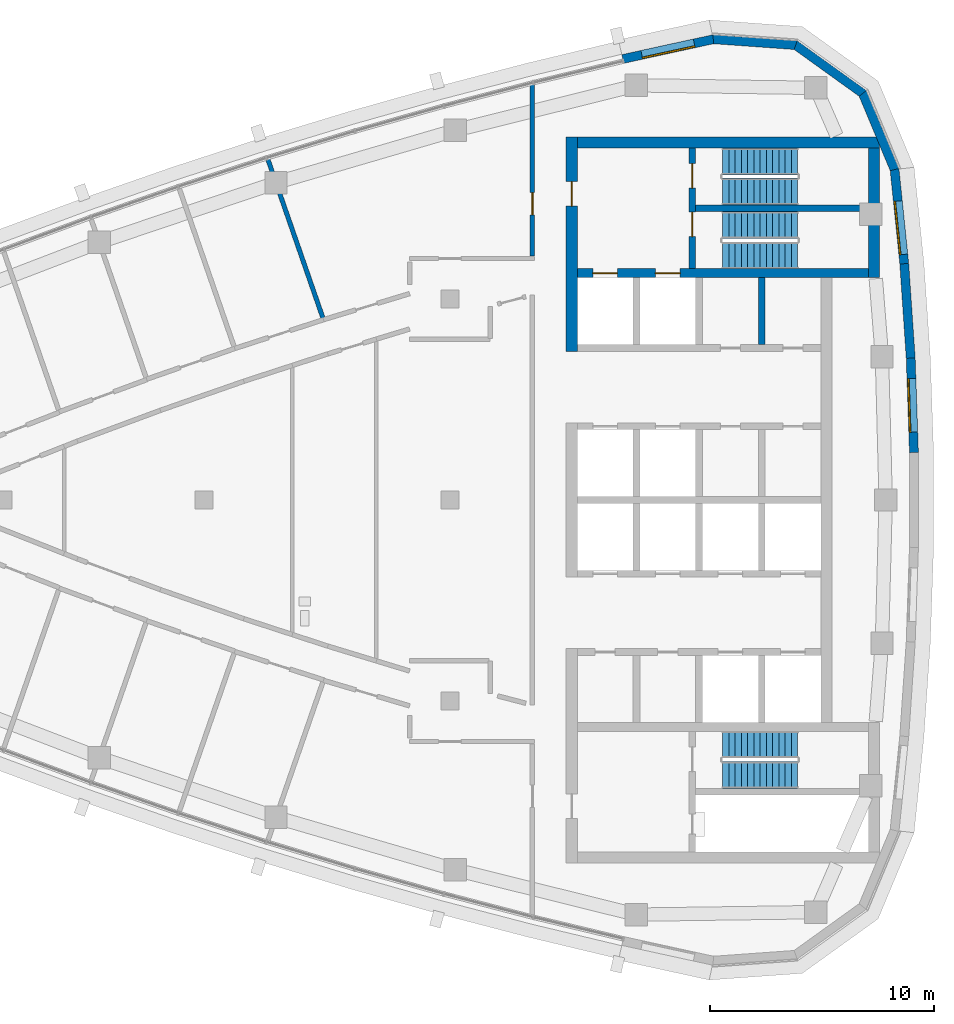
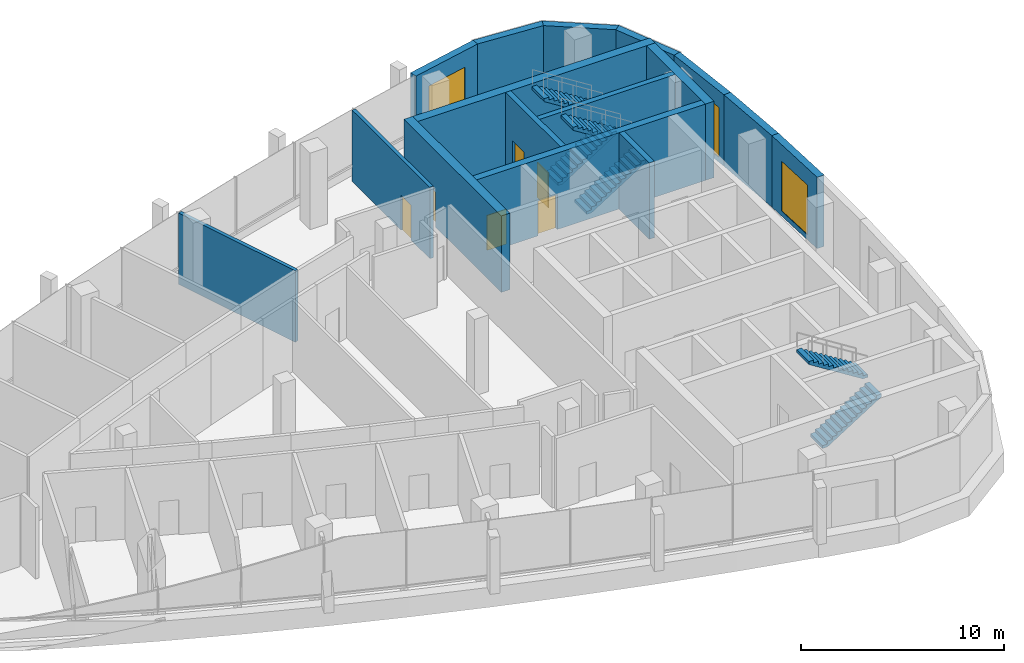
# One storey, part 10 of 15: 16 walls, 6 doors, 6 stair flights, 3 windows, 9 openings, 3 elements without a shape of their own.
"""IFC4 building model written with IfcOpenShell, lengths in metres."""

import ifcopenshell
import ifcopenshell.guid

model = None  # the IFC model being written
_history = None  # IfcOwnerHistory: only IFC2X3 demands one
_inside = {}  # id of a spatial element -> (the spatial element, [elements in it])
_under = {}  # id of a project, library or spatial element -> (it, [spatial elements below it])
_declared = {}  # id of a project -> (the project, [libraries it declares])
_typed = {}  # id of a type object -> (the type object, [elements of that type])
_made_of = {}  # id of a material, layer set ... -> (it, [elements and type objects made of it])


def new_model(schema):
    """Start an empty IFC model of exactly this schema.

    Asked for "IFC4X3", IfcOpenShell would pick the latest addendum, in which some entities
    have other attributes; the version numbers below select the first issue.
    IFC2X3 requires an IfcOwnerHistory on every rooted entity: one is made here for all.
    """
    global model, _history
    if schema == "IFC4X3":
        model = ifcopenshell.file(schema_version=(4, 3, 0, 0))
    else:
        model = ifcopenshell.file(schema=schema)
    _inside.clear()
    _under.clear()
    _declared.clear()
    _typed.clear()
    _made_of.clear()
    _history = None
    if model.schema == "IFC2X3":
        org = make("IfcOrganization", Name="unknown")
        user = make(
            "IfcPersonAndOrganization",
            ThePerson=make("IfcPerson", FamilyName="unknown"),
            TheOrganization=org,
        )
        app = make(
            "IfcApplication",
            ApplicationDeveloper=org,
            Version="unknown",
            ApplicationFullName="unknown",
            ApplicationIdentifier="unknown",
        )
        _history = make(
            "IfcOwnerHistory",
            OwningUser=user,
            OwningApplication=app,
            ChangeAction="ADDED",
            CreationDate=0,
        )
    return model


def make(cls, **values):
    """One entity of the class cls with the attributes given. An attribute that is None is left unset."""
    return model.create_entity(
        cls, **{name: value for name, value in values.items() if value is not None}
    )


def rooted(cls, **values):
    """An entity with a GlobalId (a new one), such as an element, a storey or a relation."""
    return make(cls, GlobalId=ifcopenshell.guid.new(), OwnerHistory=_history, **values)


def si_unit(unit_type, name, prefix=None):
    """IfcSIUnit, for example si_unit("LENGTHUNIT", "METRE", prefix="MILLI")."""
    return make("IfcSIUnit", UnitType=unit_type, Prefix=prefix, Name=name)


def assignment(units):
    """IfcUnitAssignment: the units of a project."""
    return None if units is None else make("IfcUnitAssignment", Units=units)


def point(xyz):
    """IfcCartesianPoint."""
    return None if xyz is None else make("IfcCartesianPoint", Coordinates=xyz)


def direction(xyz):
    """IfcDirection."""
    return None if xyz is None else make("IfcDirection", DirectionRatios=xyz)


def frame(location, z_axis=None, x_axis=None):
    """IfcAxis2Placement3D, a coordinate frame: its origin and axes. An axis left out is left unset."""
    return make(
        "IfcAxis2Placement3D",
        Location=point(location),
        Axis=direction(z_axis),
        RefDirection=direction(x_axis),
    )


def frame_2d(location, x_axis=None):
    """IfcAxis2Placement2D, a coordinate frame in the plane: its origin and x axis."""
    return make(
        "IfcAxis2Placement2D", Location=point(location), RefDirection=direction(x_axis)
    )


def origin():
    """The frame at (0, 0, 0) with its axes left unset."""
    return frame((0.0, 0.0, 0.0))


def place(relative_to, where):
    """IfcLocalPlacement: puts the frame where relative to a parent placement (None: the world)."""
    return make(
        "IfcLocalPlacement", PlacementRelTo=relative_to, RelativePlacement=where
    )


def context(
    kind, dimensions, precision=None, world=None, true_north=None, identifier=None
):
    """IfcGeometricRepresentationContext, for example the 3D "Model" context."""
    return make(
        "IfcGeometricRepresentationContext",
        ContextIdentifier=identifier,
        ContextType=kind,
        CoordinateSpaceDimension=dimensions,
        Precision=precision,
        WorldCoordinateSystem=world,
        TrueNorth=true_north,
    )


def subcontext(parent, identifier, kind, view, scale=None):
    """IfcGeometricRepresentationSubContext, for example "Body" below "Model"."""
    return make(
        "IfcGeometricRepresentationSubContext",
        ContextIdentifier=identifier,
        ContextType=kind,
        ParentContext=parent,
        TargetScale=scale,
        TargetView=view,
    )


def project(units=None, contexts=None):
    """IfcProject with its units and contexts."""
    return rooted(
        "IfcProject",
        Name="project",
        RepresentationContexts=contexts,
        UnitsInContext=assignment(units),
    )


def spatial(cls, under=None, at=None, **own):
    """A site, building, storey or space (cls), placed at a placement, below another one or the project."""
    s = rooted(cls, ObjectPlacement=at, **own)
    if under is not None:
        _under.setdefault(under.id(), (under, []))[1].append(s)
    return s


def polyline(points):
    """IfcPolyline through the points."""
    return make("IfcPolyline", Points=[point(p) for p in points])


def profile(cls, at=None, kind="AREA", **sizes):
    """A parametric profile (cls). Its sizes go by their IFC names, for example OverallWidth=200.0."""
    return make(cls, ProfileType=kind, Position=at, **sizes)


def rectangle(**sizes):
    """IfcRectangleProfileDef."""
    return profile("IfcRectangleProfileDef", **sizes)


def outline(outer, holes=None, kind="AREA"):
    """IfcArbitraryClosedProfileDef: a profile drawn as a closed curve; with holes, ...WithVoids."""
    if holes is None:
        return make("IfcArbitraryClosedProfileDef", ProfileType=kind, OuterCurve=outer)
    return make(
        "IfcArbitraryProfileDefWithVoids",
        ProfileType=kind,
        OuterCurve=outer,
        InnerCurves=holes,
    )


def extrude(swept, where, along, depth):
    """IfcExtrudedAreaSolid: the profile swept, set in the frame where, extruded along a direction by depth."""
    return make(
        "IfcExtrudedAreaSolid",
        SweptArea=swept,
        Position=where,
        ExtrudedDirection=direction(along),
        Depth=depth,
    )


def shape(context_of_items, identifier, shape_type, items):
    """IfcShapeRepresentation: the items that make up one representation, for example the "Body"."""
    return make(
        "IfcShapeRepresentation",
        ContextOfItems=context_of_items,
        RepresentationIdentifier=identifier,
        RepresentationType=shape_type,
        Items=items,
    )


def material(Name=None, Category=None):
    """IfcMaterial."""
    return make("IfcMaterial", Name=Name, Category=Category)


def layer(
    of_material, thickness, ventilated=None, Name=None, Category=None, Priority=None
):
    """IfcMaterialLayer: one layer of a wall or slab, of a material (None: an air gap)."""
    return make(
        "IfcMaterialLayer",
        Material=of_material,
        LayerThickness=thickness,
        IsVentilated=ventilated,
        Name=Name,
        Category=Category,
        Priority=Priority,
    )


def layer_set(layers, Name=None):
    """IfcMaterialLayerSet."""
    return make("IfcMaterialLayerSet", MaterialLayers=layers, LayerSetName=Name)


def made_of(thing, what):
    """Note that an element or type object is made of a material, layer set ...; save() writes the relation."""
    if what is not None:
        _made_of.setdefault(what.id(), (what, []))[1].append(thing)
    return thing


def type_object(cls, material=None, **own):
    """A type object (cls), such as IfcWallType, which elements share."""
    return made_of(rooted(cls, **own), material)


def element(
    cls,
    number,
    at=None,
    inside=None,
    cuts=None,
    type_object=None,
    material=None,
    context=None,
    identifier="Body",
    shape_type=None,
    held_by="IfcProductDefinitionShape",
    body=None,
    shapes=None,
    **own,
):
    """One element of the class cls, such as IfcWall. Its Tag is "e" and its number.

    at: its placement. inside: the storey or other place that contains it. cuts: it is an
    opening in that element (IfcRelVoidsElement). A single representation is given by context,
    identifier, shape_type and body (its items); several are given by shapes. held_by: the class
    of the entity that holds the representations. save() writes the other relations.
    """
    e = rooted(cls, Tag="e%d" % number, ObjectPlacement=at, **own)
    if body is not None:
        shapes = [shape(context, identifier, shape_type, body)]
    if shapes is not None:
        e.Representation = make(held_by, Representations=shapes)
    if inside is not None:
        _inside.setdefault(inside.id(), (inside, []))[1].append(e)
    if cuts is not None:
        rooted(
            "IfcRelVoidsElement", RelatingBuildingElement=cuts, RelatedOpeningElement=e
        )
    if type_object is not None:
        _typed.setdefault(type_object.id(), (type_object, []))[1].append(e)
    return made_of(e, material)


def fill(opening, filler):
    """IfcRelFillsElement: the door or window that sits in an opening."""
    return rooted(
        "IfcRelFillsElement",
        RelatingOpeningElement=opening,
        RelatedBuildingElement=filler,
    )


def aggregate(whole, parts):
    """IfcRelAggregates: a whole, such as a stair, and the parts it consists of."""
    return rooted("IfcRelAggregates", RelatingObject=whole, RelatedObjects=parts)


def save(model, path):
    """Write the relations noted so far, then the file.

    IfcRelAggregates (storeys below a building ...), IfcRelContainedInSpatialStructure (elements
    in a storey), IfcRelDefinesByType, IfcRelAssociatesMaterial and IfcRelDeclares: one each for
    every whole, place, type object, material and project.
    """
    for whole, parts in _under.values():
        aggregate(whole, parts)
    for where, things in _inside.values():
        rooted(
            "IfcRelContainedInSpatialStructure",
            RelatedElements=things,
            RelatingStructure=where,
        )
    for kind, things in _typed.values():
        rooted("IfcRelDefinesByType", RelatedObjects=things, RelatingType=kind)
    for what, things in _made_of.values():
        rooted("IfcRelAssociatesMaterial", RelatedObjects=things, RelatingMaterial=what)
    for by, libraries in _declared.values():
        rooted("IfcRelDeclares", RelatingContext=by, RelatedDefinitions=libraries)
    model.write(path)


model = new_model("IFC4")

# Units and contexts
model_context = context("Model", 3, precision=1e-05, world=origin(), true_north=direction((0.0, 1.0)))
body_context = subcontext(model_context, "Body", "Model", "MODEL_VIEW")
ifc_project = project(units=[si_unit("LENGTHUNIT", "METRE"), si_unit("AREAUNIT", "SQUARE_METRE"), si_unit("VOLUMEUNIT", "CUBIC_METRE"), si_unit("PLANEANGLEUNIT", "RADIAN"), si_unit("MASSUNIT", "GRAM", prefix="KILO")], contexts=[model_context])

# Site, building, storey
site_placement = place(None, origin())
site = spatial("IfcSite", under=ifc_project, at=site_placement, CompositionType="ELEMENT")
building_placement = place(site_placement, origin())
building = spatial("IfcBuilding", under=site, at=building_placement, Name="Ostrand Prow Hotel Tower", CompositionType="ELEMENT")
storey_placement = place(building_placement, frame((0.0, 0.0, 308.60009765625)))
storey = spatial("IfcBuildingStorey", under=building, at=storey_placement, Name="C1", CompositionType="ELEMENT", Elevation=308.60009765625)

# Wall
ifc_material_1 = material(Name="Concrete C40/50", Category="concrete")
ifc_layer_1 = layer(ifc_material_1, 0.300048828125)
ifc_layer_set_1 = layer_set([ifc_layer_1], Name="Concrete C40/50")
wall_type_1 = type_object("IfcWallType", Name="Core wall 300 C40/50", PredefinedType="SHEAR", material=ifc_layer_set_1)
wall_1_placement = place(storey_placement, frame((58.949951171875, 6.949951171875, 0.0), z_axis=(0.0, 0.0, 1.0), x_axis=(0.0, 1.0, 0.0)))
element("IfcWall", 1, at=wall_1_placement, inside=storey, type_object=wall_type_1, Name="Core wall PW-R3-NA", PredefinedType="SHEAR", context=body_context, shape_type="SweptSolid", body=[
    extrude(rectangle(XDim=3.0, YDim=0.300048828125, at=frame_2d((1.5, 0.0))), origin(), (0.0, 0.0, 1.0), 4.599853515625),
])

# Wall, openings, doors
wall_2_placement = place(storey_placement, frame((55.85009765625, 10.35009765625, 0.0), z_axis=(0.0, 0.0, 1.0), x_axis=(0.0, 1.0, 0.0)))
wall_2 = element("IfcWall", 2, at=wall_2_placement, inside=storey, type_object=wall_type_1, Name="Core wall PW-VN", PredefinedType="SHEAR", context=body_context, shape_type="SweptSolid", body=[
    extrude(rectangle(XDim=5.39990234375, YDim=0.300048828125, at=frame_2d((2.699951171875, 0.0))), origin(), (0.0, 0.0, 1.0), 4.599853515625),
])
opening_1_placement = place(wall_2_placement, frame((1.429931640625, 0.0, 0.0)))
opening_1 = element("IfcOpeningElement", 3, at=opening_1_placement, cuts=wall_2, Name="Opening FD1", PredefinedType="OPENING", context=body_context, shape_type="SweptSolid", body=[
    extrude(rectangle(XDim=1.10009765625, YDim=2.10009765625, at=frame_2d((0.550048828125, 1.050048828125))), frame((0.0, 0.159912109375, 0.0), z_axis=(0.0, -1.0, 0.0), x_axis=(1.0, 0.0, 0.0)), (0.0, 0.0, 1.0), 0.320068359375),
])
opening_2_placement = place(wall_2_placement, frame((3.60009765625, 0.0, 0.0)))
opening_2 = element("IfcOpeningElement", 4, at=opening_2_placement, cuts=wall_2, Name="Opening FD1", PredefinedType="OPENING", context=body_context, shape_type="SweptSolid", body=[
    extrude(rectangle(XDim=1.10009765625, YDim=2.10009765625, at=frame_2d((0.550048828125, 1.050048828125))), frame((0.0, 0.159912109375, 0.0), z_axis=(0.0, -1.0, 0.0), x_axis=(1.0, 0.0, 0.0)), (0.0, 0.0, 1.0), 0.320068359375),
])
ifc_material_2 = material(Name="Steel fire door", Category="steel")
door_type_1 = type_object("IfcDoorType", Name="Fire door 1100 EI120", OperationType="SINGLE_SWING_RIGHT", PredefinedType="DOOR", material=ifc_material_2)
door_1_placement = place(opening_1_placement, origin())
door_1 = element("IfcDoor", 5, at=door_1_placement, inside=storey, type_object=door_type_1, Name="FIRE DOOR", OperationType="SINGLE_SWING_RIGHT", OverallHeight=2.10009765625, OverallWidth=1.10009765625, PredefinedType="DOOR", context=body_context, shape_type="SweptSolid", body=[
    extrude(rectangle(XDim=1.10009765625, YDim=2.10009765625, at=frame_2d((0.550048828125, 1.050048828125))), frame((0.0, 0.02490234375, 0.0), z_axis=(0.0, -1.0, 0.0), x_axis=(1.0, 0.0, 0.0)), (0.0, 0.0, 1.0), 0.050048828125),
])
fill(opening_1, door_1)
door_2_placement = place(opening_2_placement, origin())
door_2 = element("IfcDoor", 6, at=door_2_placement, inside=storey, type_object=door_type_1, Name="FIRE DOOR", OperationType="SINGLE_SWING_RIGHT", OverallHeight=2.10009765625, OverallWidth=1.10009765625, PredefinedType="DOOR", context=body_context, shape_type="SweptSolid", body=[
    extrude(rectangle(XDim=1.10009765625, YDim=2.10009765625, at=frame_2d((0.550048828125, 1.050048828125))), frame((0.0, 0.02490234375, 0.0), z_axis=(0.0, -1.0, 0.0), x_axis=(1.0, 0.0, 0.0)), (0.0, 0.0, 1.0), 0.050048828125),
])
fill(opening_2, door_2)

# Wall
wall_3_placement = place(storey_placement, frame((56.0, 13.050048828125, 0.0), z_axis=(0.0, 0.0, 1.0), x_axis=(1.0, 0.0, 0.0)))
element("IfcWall", 7, at=wall_3_placement, inside=storey, type_object=wall_type_1, Name="Core wall PW-ST13", PredefinedType="SHEAR", context=body_context, shape_type="SweptSolid", body=[
    extrude(rectangle(XDim=7.719970703125, YDim=0.300048828125, at=frame_2d((3.85986328125, 0.0))), origin(), (0.0, 0.0, 1.0), 4.599853515625),
])

# Wall, openings, doors
ifc_material_3 = material(Name="Concrete C40/50", Category="concrete")
ifc_layer_2 = layer(ifc_material_3, 0.39990234375)
ifc_layer_set_2 = layer_set([ifc_layer_2], Name="Concrete C40/50")
wall_type_2 = type_object("IfcWallType", Name="Core wall 400 C40/50", PredefinedType="SHEAR", material=ifc_layer_set_2)
wall_4_placement = place(storey_placement, frame((50.699951171875, 10.14990234375, 0.0), z_axis=(0.0, 0.0, 1.0), x_axis=(1.0, 0.0, 0.0)))
wall_4 = element("IfcWall", 8, at=wall_4_placement, inside=storey, type_object=wall_type_2, Name="Core wall PW-BN", PredefinedType="SHEAR", context=body_context, shape_type="SweptSolid", body=[
    extrude(rectangle(XDim=13.02001953125, YDim=0.39990234375, at=frame_2d((6.510009765625, 0.0))), origin(), (0.0, 0.0, 1.0), 4.599853515625),
])
opening_3_placement = place(wall_4_placement, frame((0.699951171875, 0.0, 0.0)))
opening_3 = element("IfcOpeningElement", 9, at=opening_3_placement, cuts=wall_4, Name="Opening LD", PredefinedType="OPENING", context=body_context, shape_type="SweptSolid", body=[
    extrude(rectangle(XDim=1.10009765625, YDim=2.10009765625, at=frame_2d((0.550048828125, 1.050048828125))), frame((0.0, 0.2099609375, 0.0), z_axis=(0.0, -1.0, 0.0), x_axis=(1.0, 0.0, 0.0)), (0.0, 0.0, 1.0), 0.419921875),
])
opening_4_placement = place(wall_4_placement, frame((3.5, 0.0, 0.0)))
opening_4 = element("IfcOpeningElement", 10, at=opening_4_placement, cuts=wall_4, Name="Opening LD", PredefinedType="OPENING", context=body_context, shape_type="SweptSolid", body=[
    extrude(rectangle(XDim=1.10009765625, YDim=2.10009765625, at=frame_2d((0.550048828125, 1.050048828125))), frame((0.0, 0.2099609375, 0.0), z_axis=(0.0, -1.0, 0.0), x_axis=(1.0, 0.0, 0.0)), (0.0, 0.0, 1.0), 0.419921875),
])
ifc_material_4 = material(Name="Stainless steel door", Category="steel")
door_type_2 = type_object("IfcDoorType", Name="Lift landing door 1100", OperationType="DOUBLE_DOOR_SLIDING", PredefinedType="DOOR", material=ifc_material_4)
door_3_placement = place(opening_3_placement, origin())
door_3 = element("IfcDoor", 11, at=door_3_placement, inside=storey, type_object=door_type_2, Name="LIFT LANDING DOOR", OperationType="DOUBLE_DOOR_SLIDING", OverallHeight=2.10009765625, OverallWidth=1.10009765625, PredefinedType="DOOR", context=body_context, shape_type="SweptSolid", body=[
    extrude(rectangle(XDim=1.10009765625, YDim=2.10009765625, at=frame_2d((0.550048828125, 1.050048828125))), frame((0.0, 0.02490234375, 0.0), z_axis=(0.0, -1.0, 0.0), x_axis=(1.0, 0.0, 0.0)), (0.0, 0.0, 1.0), 0.050048828125),
])
fill(opening_3, door_3)
door_4_placement = place(opening_4_placement, origin())
door_4 = element("IfcDoor", 12, at=door_4_placement, inside=storey, type_object=door_type_2, Name="LIFT LANDING DOOR", OperationType="DOUBLE_DOOR_SLIDING", OverallHeight=2.10009765625, OverallWidth=1.10009765625, PredefinedType="DOOR", context=body_context, shape_type="SweptSolid", body=[
    extrude(rectangle(XDim=1.10009765625, YDim=2.10009765625, at=frame_2d((0.550048828125, 1.050048828125))), frame((0.0, 0.02490234375, 0.0), z_axis=(0.0, -1.0, 0.0), x_axis=(1.0, 0.0, 0.0)), (0.0, 0.0, 1.0), 0.050048828125),
])
fill(opening_4, door_4)

# Wall, opening, door
ifc_material_5 = material(Name="Concrete C40/50", Category="concrete")
ifc_layer_3 = layer(ifc_material_5, 0.5)
ifc_layer_set_3 = layer_set([ifc_layer_3], Name="Concrete C40/50")
wall_type_3 = type_object("IfcWallType", Name="Core wall 500 C40/50", PredefinedType="SHEAR", material=ifc_layer_set_3)
wall_5_placement = place(storey_placement, frame((50.449951171875, 6.64990234375, 0.0), z_axis=(0.0, 0.0, 1.0), x_axis=(0.0, 1.0, 0.0)))
wall_5 = element("IfcWall", 13, at=wall_5_placement, inside=storey, type_object=wall_type_3, Name="Core wall CW-W-N", PredefinedType="SHEAR", context=body_context, shape_type="SweptSolid", body=[
    extrude(rectangle(XDim=9.60009765625, YDim=0.5, at=frame_2d((4.800048828125, 0.0))), origin(), (0.0, 0.0, 1.0), 4.599853515625),
])
opening_5_placement = place(wall_5_placement, frame((6.5, 0.0, 0.0)))
opening_5 = element("IfcOpeningElement", 14, at=opening_5_placement, cuts=wall_5, Name="Opening FD1", PredefinedType="OPENING", context=body_context, shape_type="SweptSolid", body=[
    extrude(rectangle(XDim=1.10009765625, YDim=2.10009765625, at=frame_2d((0.550048828125, 1.050048828125))), frame((0.0, 0.260009765625, 0.0), z_axis=(0.0, -1.0, 0.0), x_axis=(1.0, 0.0, 0.0)), (0.0, 0.0, 1.0), 0.52001953125),
])
door_5_placement = place(opening_5_placement, origin())
door_5 = element("IfcDoor", 15, at=door_5_placement, inside=storey, type_object=door_type_1, Name="FIRE DOOR", OperationType="SINGLE_SWING_RIGHT", OverallHeight=2.10009765625, OverallWidth=1.10009765625, PredefinedType="DOOR", context=body_context, shape_type="SweptSolid", body=[
    extrude(rectangle(XDim=1.10009765625, YDim=2.10009765625, at=frame_2d((0.550048828125, 1.050048828125))), frame((0.0, 0.02490234375, 0.0), z_axis=(0.0, -1.0, 0.0), x_axis=(1.0, 0.0, 0.0)), (0.0, 0.0, 1.0), 0.050048828125),
])
fill(opening_5, door_5)

# Walls
wall_6_placement = place(storey_placement, frame((50.699951171875, 16.0, 0.0), z_axis=(0.0, 0.0, 1.0), x_axis=(1.0, 0.0, 0.0)))
element("IfcWall", 16, at=wall_6_placement, inside=storey, type_object=wall_type_3, Name="Core wall CW-N", PredefinedType="SHEAR", context=body_context, shape_type="SweptSolid", body=[
    extrude(rectangle(XDim=13.52001953125, YDim=0.5, at=frame_2d((6.760009765625, 0.0))), origin(), (0.0, 0.0, 1.0), 4.599853515625),
])
wall_7_placement = place(storey_placement, frame((63.969970703125, 9.949951171875, 0.0), z_axis=(0.0, 0.0, 1.0), x_axis=(0.0, 1.0, 0.0)))
element("IfcWall", 17, at=wall_7_placement, inside=storey, type_object=wall_type_3, Name="Core wall CW-E-N", PredefinedType="SHEAR", context=body_context, shape_type="SweptSolid", body=[
    extrude(rectangle(XDim=5.800048828125, YDim=0.5, at=frame_2d((2.89990234375, 0.0))), origin(), (0.0, 0.0, 1.0), 4.599853515625),
])

# Wall, opening, door
ifc_material_6 = material(Name="Plasterboard partition")
ifc_layer_4 = layer(ifc_material_6, 0.199951171875)
ifc_layer_set_4 = layer_set([ifc_layer_4], Name="Plasterboard partition")
wall_type_4 = type_object("IfcWallType", Name="Partition 200 corridor wall", PredefinedType="PARTITIONING", material=ifc_layer_set_4)
wall_8_placement = place(storey_placement, frame((48.695068359375, 18.589111328125, 0.0), z_axis=(0.0, 0.0, 1.0), x_axis=(0.0, -1.0, 0.0)))
wall_8 = element("IfcWall", 18, at=wall_8_placement, inside=storey, type_object=wall_type_4, Name="CORRIDOR WALL", PredefinedType="PARTITIONING", context=body_context, shape_type="SweptSolid", body=[
    extrude(rectangle(XDim=7.674072265625, YDim=0.199951171875, at=frame_2d((3.8369140625, 0.0))), origin(), (0.0, 0.0, 1.0), 4.2998046875),
])
opening_6_placement = place(wall_8_placement, frame((4.835693359375, 0.0, 0.0)))
opening_6 = element("IfcOpeningElement", 19, at=opening_6_placement, cuts=wall_8, Name="Opening D1R", PredefinedType="OPENING", context=body_context, shape_type="SweptSolid", body=[
    extrude(rectangle(XDim=1.0, YDim=2.10009765625, at=frame_2d((0.5, 1.050048828125))), frame((0.0, 0.10986328125, 0.0), z_axis=(0.0, -1.0, 0.0), x_axis=(1.0, 0.0, 0.0)), (0.0, 0.0, 1.0), 0.219970703125),
])
ifc_material_7 = material(Name="Timber door leaf", Category="wood")
door_type_3 = type_object("IfcDoorType", Name="Guest room door 1000 right", OperationType="SINGLE_SWING_RIGHT", PredefinedType="DOOR", material=ifc_material_7)
door_6_placement = place(opening_6_placement, origin())
door_6 = element("IfcDoor", 20, at=door_6_placement, inside=storey, type_object=door_type_3, Name="DOOR", OperationType="SINGLE_SWING_RIGHT", OverallHeight=2.10009765625, OverallWidth=1.0, PredefinedType="DOOR", context=body_context, shape_type="SweptSolid", body=[
    extrude(rectangle(XDim=1.0, YDim=2.10009765625, at=frame_2d((0.5, 1.050048828125))), frame((0.0, 0.02490234375, 0.0), z_axis=(0.0, -1.0, 0.0), x_axis=(1.0, 0.0, 0.0)), (0.0, 0.0, 1.0), 0.050048828125),
])
fill(opening_6, door_6)

# Wall
ifc_material_8 = material(Name="Plasterboard partition")
ifc_layer_5 = layer(ifc_material_8, 0.199951171875)
ifc_layer_set_5 = layer_set([ifc_layer_5], Name="Plasterboard partition")
wall_type_5 = type_object("IfcWallType", Name="Partition 200 key partition", PredefinedType="PARTITIONING", material=ifc_layer_set_5)
wall_9_placement = place(storey_placement, frame((39.353515625, 8.04931640625, 0.0), z_axis=(0.0, 0.0, 1.0), x_axis=(-0.327741126954, 0.944767565967, 0.0)))
element("IfcWall", 21, at=wall_9_placement, inside=storey, type_object=wall_type_5, Name="KEY PARTITION", PredefinedType="PARTITIONING", context=body_context, shape_type="SweptSolid", body=[
    extrude(rectangle(XDim=7.605712890625, YDim=0.199951171875, at=frame_2d((3.802734375, 0.0))), origin(), (0.0, 0.0, 1.0), 4.2998046875),
])

# Wall, opening, window
ifc_material_9 = material(Name="Precast concrete C40/50", Category="concrete")
ifc_layer_6 = layer(ifc_material_9, 0.39990234375)
ifc_layer_set_6 = layer_set([ifc_layer_6], Name="Precast concrete C40/50")
wall_type_6 = type_object("IfcWallType", Name="Stone-faced precast wall 400 mm", PredefinedType="NOTDEFINED", material=ifc_layer_set_6)
wall_10_placement = place(storey_placement, frame((65.764404296875, 2.11669921875, 0.0), z_axis=(0.0, 0.0, 1.0), x_axis=(-0.034082898699, 0.999419009233, 0.0)))
wall_10 = element("IfcWall", 22, at=wall_10_placement, inside=storey, type_object=wall_type_6, Name="Stone-faced wall back 9", PredefinedType="NOTDEFINED", context=body_context, shape_type="SweptSolid", body=[
    extrude(outline(polyline([(-0.00341796875, -0.199951171875), (4.23681640625, -0.199951171875), (4.22998046875, 0.199951171875), (0.00341796875, 0.199951171875), (-0.00341796875, -0.199951171875)])), origin(), (0.0, 0.0, 1.0), 4.2998046875),
])
opening_7_placement = place(wall_10_placement, frame((0.916748046875, 0.0, 0.300048828125)))
opening_7 = element("IfcOpeningElement", 23, at=opening_7_placement, cuts=wall_10, Name="Opening WR1", PredefinedType="OPENING", context=body_context, shape_type="SweptSolid", body=[
    extrude(rectangle(XDim=2.39990234375, YDim=3.0, at=frame_2d((1.199951171875, 1.5))), frame((0.0, 0.2099609375, 0.0), z_axis=(0.0, -1.0, 0.0), x_axis=(1.0, 0.0, 0.0)), (0.0, 0.0, 1.0), 0.419921875),
])
ifc_material_10 = material(Name="Insulated glass in bronze frame", Category="glass")
window_type = type_object("IfcWindowType", Name="Restaurant window 2400x3000", PartitioningType="SINGLE_PANEL", PredefinedType="WINDOW", material=ifc_material_10)
window_1_placement = place(opening_7_placement, origin())
window_1 = element("IfcWindow", 24, at=window_1_placement, inside=storey, type_object=window_type, Name="Window back 9.1", OverallHeight=3.0, OverallWidth=2.39990234375, PartitioningType="SINGLE_PANEL", PredefinedType="WINDOW", context=body_context, shape_type="SweptSolid", body=[
    extrude(rectangle(XDim=2.39990234375, YDim=3.0, at=frame_2d((1.199951171875, 1.5))), frame((0.0, 0.169921875, 0.0), z_axis=(0.0, -1.0, 0.0), x_axis=(1.0, 0.0, 0.0)), (0.0, 0.0, 1.0), 0.06005859375),
])
fill(opening_7, window_1)

# Wall
wall_11_placement = place(storey_placement, frame((65.6201171875, 6.34765625, 0.0), z_axis=(0.0, 0.0, 1.0), x_axis=(-0.068279584479, 0.997666225921, 0.0)))
element("IfcWall", 25, at=wall_11_placement, inside=storey, type_object=wall_type_6, Name="Stone-faced wall back 10", PredefinedType="NOTDEFINED", context=body_context, shape_type="SweptSolid", body=[
    extrude(outline(polyline([(-0.00341796875, -0.199951171875), (4.23681640625, -0.199951171875), (4.22998046875, 0.199951171875), (0.00341796875, 0.199951171875), (-0.00341796875, -0.199951171875)])), origin(), (0.0, 0.0, 1.0), 4.2998046875),
])

# Wall, opening, window
wall_12_placement = place(storey_placement, frame((65.3310546875, 10.5712890625, 0.0), z_axis=(0.0, 0.0, 1.0), x_axis=(-0.102249826987, 0.994758751096, 0.0)))
wall_12 = element("IfcWall", 26, at=wall_12_placement, inside=storey, type_object=wall_type_6, Name="Stone-faced wall back 11", PredefinedType="NOTDEFINED", context=body_context, shape_type="SweptSolid", body=[
    extrude(outline(polyline([(-0.00341796875, -0.199951171875), (4.262939453125, -0.199951171875), (4.203857421875, 0.199951171875), (0.00341796875, 0.199951171875), (-0.00341796875, -0.199951171875)])), origin(), (0.0, 0.0, 1.0), 4.2998046875),
])
opening_8_placement = place(wall_12_placement, frame((0.416748046875, 0.0, 0.300048828125)))
opening_8 = element("IfcOpeningElement", 27, at=opening_8_placement, cuts=wall_12, Name="Opening WR1", PredefinedType="OPENING", context=body_context, shape_type="SweptSolid", body=[
    extrude(rectangle(XDim=2.39990234375, YDim=3.0, at=frame_2d((1.199951171875, 1.5))), frame((0.0, 0.2099609375, 0.0), z_axis=(0.0, -1.0, 0.0), x_axis=(1.0, 0.0, 0.0)), (0.0, 0.0, 1.0), 0.419921875),
])
window_2_placement = place(opening_8_placement, origin())
window_2 = element("IfcWindow", 28, at=window_2_placement, inside=storey, type_object=window_type, Name="Window back 11.1", OverallHeight=3.0, OverallWidth=2.39990234375, PartitioningType="SINGLE_PANEL", PredefinedType="WINDOW", context=body_context, shape_type="SweptSolid", body=[
    extrude(rectangle(XDim=2.39990234375, YDim=3.0, at=frame_2d((1.199951171875, 1.5))), frame((0.0, 0.169921875, 0.0), z_axis=(0.0, -1.0, 0.0), x_axis=(1.0, 0.0, 0.0)), (0.0, 0.0, 1.0), 0.06005859375),
])
fill(opening_8, window_2)

# Walls
wall_13_placement = place(storey_placement, frame((64.898193359375, 14.782470703125, 0.0), z_axis=(0.0, 0.0, 1.0), x_axis=(-0.385285857918, 0.922797273343, 0.0)))
element("IfcWall", 29, at=wall_13_placement, inside=storey, type_object=wall_type_6, Name="Stone-faced wall back 12", PredefinedType="NOTDEFINED", context=body_context, shape_type="SweptSolid", body=[
    extrude(outline(polyline([(-0.029541015625, -0.199951171875), (3.75341796875, -0.199951171875), (3.64013671875, 0.199951171875), (0.029541015625, 0.199951171875), (-0.029541015625, -0.199951171875)])), origin(), (0.0, 0.0, 1.0), 4.2998046875),
])
wall_14_placement = place(storey_placement, frame((63.473876953125, 18.19384765625, 0.0), z_axis=(0.0, 0.0, 1.0), x_axis=(-0.811962548682, 0.583709533533, 0.0)))
element("IfcWall", 30, at=wall_14_placement, inside=storey, type_object=wall_type_6, Name="Stone-faced wall back 13", PredefinedType="NOTDEFINED", context=body_context, shape_type="SweptSolid", body=[
    extrude(outline(polyline([(-0.056640625, -0.199951171875), (3.753173828125, -0.199951171875), (3.639892578125, 0.199951171875), (0.056640625, 0.199951171875), (-0.056640625, -0.199951171875)])), origin(), (0.0, 0.0, 1.0), 4.2998046875),
])
wall_15_placement = place(storey_placement, frame((60.472412109375, 20.3515625, 0.0), z_axis=(0.0, 0.0, 1.0), x_axis=(-0.99746272096, 0.071190731806, 0.0)))
element("IfcWall", 31, at=wall_15_placement, inside=storey, type_object=wall_type_6, Name="Stone-faced wall back 14", PredefinedType="NOTDEFINED", context=body_context, shape_type="SweptSolid", body=[
    extrude(outline(polyline([(-0.056640625, -0.199951171875), (3.7255859375, -0.199951171875), (3.66796875, 0.199951171875), (0.056640625, 0.199951171875), (-0.056640625, -0.199951171875)])), origin(), (0.0, 0.0, 1.0), 4.2998046875),
])

# Wall, opening, window
wall_16_placement = place(storey_placement, frame((56.784912109375, 20.61474609375, 0.0), z_axis=(0.0, 0.0, 1.0), x_axis=(-0.977020225348, -0.213146614471, 0.0)))
wall_16 = element("IfcWall", 32, at=wall_16_placement, inside=storey, type_object=wall_type_6, Name="Stone-faced wall back 15", PredefinedType="NOTDEFINED", context=body_context, shape_type="SweptSolid", body=[
    extrude(outline(polyline([(-0.02880859375, -0.199951171875), (4.141845703125, -0.199951171875), (4.141845703125, 0.199951171875), (0.02880859375, 0.199951171875), (-0.02880859375, -0.199951171875)])), origin(), (0.0, 0.0, 1.0), 4.2998046875),
])
opening_9_placement = place(wall_16_placement, frame((0.870849609375, 0.0, 0.300048828125)))
opening_9 = element("IfcOpeningElement", 33, at=opening_9_placement, cuts=wall_16, Name="Opening WR1", PredefinedType="OPENING", context=body_context, shape_type="SweptSolid", body=[
    extrude(rectangle(XDim=2.39990234375, YDim=3.0, at=frame_2d((1.199951171875, 1.5))), frame((0.0, 0.2099609375, 0.0), z_axis=(0.0, -1.0, 0.0), x_axis=(1.0, 0.0, 0.0)), (0.0, 0.0, 1.0), 0.419921875),
])
window_3_placement = place(opening_9_placement, origin())
window_3 = element("IfcWindow", 34, at=window_3_placement, inside=storey, type_object=window_type, Name="Window back 15.1", OverallHeight=3.0, OverallWidth=2.39990234375, PartitioningType="SINGLE_PANEL", PredefinedType="WINDOW", context=body_context, shape_type="SweptSolid", body=[
    extrude(rectangle(XDim=2.39990234375, YDim=3.0, at=frame_2d((1.199951171875, 1.5))), frame((0.0, 0.169921875, 0.0), z_axis=(0.0, -1.0, 0.0), x_axis=(1.0, 0.0, 0.0)), (0.0, 0.0, 1.0), 0.06005859375),
])
fill(opening_9, window_3)

# Stair, stair flights
ifc_material_11 = material(Name="Concrete C40/50", Category="concrete")
stair_type = type_object("IfcStairType", Name="Exit stair 1200 upper zone", PredefinedType="HALF_TURN_STAIR", material=ifc_material_11)
stair_1_placement = place(storey_placement, origin())
stair_1 = element("IfcStair", 35, at=stair_1_placement, inside=storey, type_object=stair_type, Name="C1 ST1C", PredefinedType="HALF_TURN_STAIR")
ifc_material_12 = material(Name="Concrete C40/50", Category="concrete")
stair_flight_type = type_object("IfcStairFlightType", Name="Stair flight 1200 concrete", PredefinedType="STRAIGHT", material=ifc_material_12)
stair_flight_1_placement = place(storey_placement, frame((57.199951171875, 10.949951171875, 0.0), z_axis=(0.0, 0.0, 1.0), x_axis=(1.0, 0.0, 0.0)))
stair_flight_1 = element("IfcStairFlight", 36, at=stair_flight_1_placement, type_object=stair_flight_type, Name="ST1C flight 1", NumberOfRisers=13, NumberOfTreads=12, PredefinedType="STRAIGHT", RiserHeight=0.176923077, TreadLength=0.28, context=body_context, shape_type="SweptSolid", body=[
    extrude(outline(polyline([(0.0, 0.0), (0.0, 0.177001953125), (0.280029296875, 0.177001953125), (0.280029296875, 0.353759765625), (0.56005859375, 0.353759765625), (0.56005859375, 0.53076171875), (0.840087890625, 0.53076171875), (0.840087890625, 0.707763671875), (1.1201171875, 0.707763671875), (1.1201171875, 0.884521484375), (1.39990234375, 0.884521484375), (1.39990234375, 1.0615234375), (1.679931640625, 1.0615234375), (1.679931640625, 1.238525390625), (1.9599609375, 1.238525390625), (1.9599609375, 1.415283203125), (2.239990234375, 1.415283203125), (2.239990234375, 1.59228515625), (2.52001953125, 1.59228515625), (2.52001953125, 1.769287109375), (2.800048828125, 1.769287109375), (2.800048828125, 1.946044921875), (3.080078125, 1.946044921875), (3.080078125, 2.123046875), (3.360107421875, 2.123046875), (3.360107421875, 2.300048828125), (3.360107421875, 1.94580078125), (0.280517578125, 0.0), (0.0, 0.0)])), frame((0.0, 0.60009765625, 0.0), z_axis=(0.0, -1.0, 0.0), x_axis=(1.0, 0.0, 0.0)), (0.0, 0.0, 1.0), 1.199951171875),
])
stair_flight_2_placement = place(storey_placement, frame((60.56005859375, 12.300048828125, 2.2998046875), z_axis=(0.0, 0.0, 1.0), x_axis=(-1.0, 0.0, 0.0)))
stair_flight_2 = element("IfcStairFlight", 37, at=stair_flight_2_placement, type_object=stair_flight_type, Name="ST1C flight 2", NumberOfRisers=13, NumberOfTreads=12, PredefinedType="STRAIGHT", RiserHeight=0.176923077, TreadLength=0.28, context=body_context, shape_type="SweptSolid", body=[
    extrude(outline(polyline([(0.0, 0.0), (0.0, 0.177001953125), (0.280029296875, 0.177001953125), (0.280029296875, 0.353759765625), (0.56005859375, 0.353759765625), (0.56005859375, 0.53076171875), (0.840087890625, 0.53076171875), (0.840087890625, 0.707763671875), (1.1201171875, 0.707763671875), (1.1201171875, 0.884521484375), (1.39990234375, 0.884521484375), (1.39990234375, 1.0615234375), (1.679931640625, 1.0615234375), (1.679931640625, 1.238525390625), (1.9599609375, 1.238525390625), (1.9599609375, 1.415283203125), (2.239990234375, 1.415283203125), (2.239990234375, 1.59228515625), (2.52001953125, 1.59228515625), (2.52001953125, 1.769287109375), (2.800048828125, 1.769287109375), (2.800048828125, 1.946044921875), (3.080078125, 1.946044921875), (3.080078125, 2.123046875), (3.360107421875, 2.123046875), (3.360107421875, 2.300048828125), (3.360107421875, 1.94580078125), (0.280517578125, 0.0), (0.0, 0.0)])), frame((0.0, 0.60009765625, 0.0), z_axis=(0.0, -1.0, 0.0), x_axis=(1.0, 0.0, 0.0)), (0.0, 0.0, 1.0), 1.199951171875),
])
aggregate(stair_1, [stair_flight_1, stair_flight_2])

stair_2_placement = place(storey_placement, origin())
stair_2 = element("IfcStair", 38, at=stair_2_placement, inside=storey, type_object=stair_type, Name="C1 ST3C", PredefinedType="HALF_TURN_STAIR")
stair_flight_3_placement = place(storey_placement, frame((57.199951171875, 13.800048828125, 0.0), z_axis=(0.0, 0.0, 1.0), x_axis=(1.0, 0.0, 0.0)))
stair_flight_3 = element("IfcStairFlight", 39, at=stair_flight_3_placement, type_object=stair_flight_type, Name="ST3C flight 1", NumberOfRisers=13, NumberOfTreads=12, PredefinedType="STRAIGHT", RiserHeight=0.176923077, TreadLength=0.28, context=body_context, shape_type="SweptSolid", body=[
    extrude(outline(polyline([(0.0, 0.0), (0.0, 0.177001953125), (0.280029296875, 0.177001953125), (0.280029296875, 0.353759765625), (0.56005859375, 0.353759765625), (0.56005859375, 0.53076171875), (0.840087890625, 0.53076171875), (0.840087890625, 0.707763671875), (1.1201171875, 0.707763671875), (1.1201171875, 0.884521484375), (1.39990234375, 0.884521484375), (1.39990234375, 1.0615234375), (1.679931640625, 1.0615234375), (1.679931640625, 1.238525390625), (1.9599609375, 1.238525390625), (1.9599609375, 1.415283203125), (2.239990234375, 1.415283203125), (2.239990234375, 1.59228515625), (2.52001953125, 1.59228515625), (2.52001953125, 1.769287109375), (2.800048828125, 1.769287109375), (2.800048828125, 1.946044921875), (3.080078125, 1.946044921875), (3.080078125, 2.123046875), (3.360107421875, 2.123046875), (3.360107421875, 2.300048828125), (3.360107421875, 1.94580078125), (0.280517578125, 0.0), (0.0, 0.0)])), frame((0.0, 0.60009765625, 0.0), z_axis=(0.0, -1.0, 0.0), x_axis=(1.0, 0.0, 0.0)), (0.0, 0.0, 1.0), 1.199951171875),
])
stair_flight_4_placement = place(storey_placement, frame((60.56005859375, 15.14990234375, 2.2998046875), z_axis=(0.0, 0.0, 1.0), x_axis=(-1.0, 0.0, 0.0)))
stair_flight_4 = element("IfcStairFlight", 40, at=stair_flight_4_placement, type_object=stair_flight_type, Name="ST3C flight 2", NumberOfRisers=13, NumberOfTreads=12, PredefinedType="STRAIGHT", RiserHeight=0.176923077, TreadLength=0.28, context=body_context, shape_type="SweptSolid", body=[
    extrude(outline(polyline([(0.0, 0.0), (0.0, 0.177001953125), (0.280029296875, 0.177001953125), (0.280029296875, 0.353759765625), (0.56005859375, 0.353759765625), (0.56005859375, 0.53076171875), (0.840087890625, 0.53076171875), (0.840087890625, 0.707763671875), (1.1201171875, 0.707763671875), (1.1201171875, 0.884521484375), (1.39990234375, 0.884521484375), (1.39990234375, 1.0615234375), (1.679931640625, 1.0615234375), (1.679931640625, 1.238525390625), (1.9599609375, 1.238525390625), (1.9599609375, 1.415283203125), (2.239990234375, 1.415283203125), (2.239990234375, 1.59228515625), (2.52001953125, 1.59228515625), (2.52001953125, 1.769287109375), (2.800048828125, 1.769287109375), (2.800048828125, 1.946044921875), (3.080078125, 1.946044921875), (3.080078125, 2.123046875), (3.360107421875, 2.123046875), (3.360107421875, 2.300048828125), (3.360107421875, 1.94580078125), (0.280517578125, 0.0), (0.0, 0.0)])), frame((0.0, 0.60009765625, 0.0), z_axis=(0.0, -1.0, 0.0), x_axis=(1.0, 0.0, 0.0)), (0.0, 0.0, 1.0), 1.199951171875),
])
aggregate(stair_2, [stair_flight_3, stair_flight_4])

stair_3_placement = place(storey_placement, origin())
stair_3 = element("IfcStair", 41, at=stair_3_placement, inside=storey, type_object=stair_type, Name="C1 ST2C", PredefinedType="HALF_TURN_STAIR")
stair_flight_5_placement = place(storey_placement, frame((57.199951171875, -12.300048828125, 0.0), z_axis=(0.0, 0.0, 1.0), x_axis=(1.0, 0.0, 0.0)))
stair_flight_5 = element("IfcStairFlight", 42, at=stair_flight_5_placement, type_object=stair_flight_type, Name="ST2C flight 1", NumberOfRisers=13, NumberOfTreads=12, PredefinedType="STRAIGHT", RiserHeight=0.176923077, TreadLength=0.28, context=body_context, shape_type="SweptSolid", body=[
    extrude(outline(polyline([(0.0, 0.0), (0.0, 0.177001953125), (0.280029296875, 0.177001953125), (0.280029296875, 0.353759765625), (0.56005859375, 0.353759765625), (0.56005859375, 0.53076171875), (0.840087890625, 0.53076171875), (0.840087890625, 0.707763671875), (1.1201171875, 0.707763671875), (1.1201171875, 0.884521484375), (1.39990234375, 0.884521484375), (1.39990234375, 1.0615234375), (1.679931640625, 1.0615234375), (1.679931640625, 1.238525390625), (1.9599609375, 1.238525390625), (1.9599609375, 1.415283203125), (2.239990234375, 1.415283203125), (2.239990234375, 1.59228515625), (2.52001953125, 1.59228515625), (2.52001953125, 1.769287109375), (2.800048828125, 1.769287109375), (2.800048828125, 1.946044921875), (3.080078125, 1.946044921875), (3.080078125, 2.123046875), (3.360107421875, 2.123046875), (3.360107421875, 2.300048828125), (3.360107421875, 1.94580078125), (0.280517578125, 0.0), (0.0, 0.0)])), frame((0.0, 0.60009765625, 0.0), z_axis=(0.0, -1.0, 0.0), x_axis=(1.0, 0.0, 0.0)), (0.0, 0.0, 1.0), 1.199951171875),
])
stair_flight_6_placement = place(storey_placement, frame((60.56005859375, -10.949951171875, 2.2998046875), z_axis=(0.0, 0.0, 1.0), x_axis=(-1.0, 0.0, 0.0)))
stair_flight_6 = element("IfcStairFlight", 43, at=stair_flight_6_placement, type_object=stair_flight_type, Name="ST2C flight 2", NumberOfRisers=13, NumberOfTreads=12, PredefinedType="STRAIGHT", RiserHeight=0.176923077, TreadLength=0.28, context=body_context, shape_type="SweptSolid", body=[
    extrude(outline(polyline([(0.0, 0.0), (0.0, 0.177001953125), (0.280029296875, 0.177001953125), (0.280029296875, 0.353759765625), (0.56005859375, 0.353759765625), (0.56005859375, 0.53076171875), (0.840087890625, 0.53076171875), (0.840087890625, 0.707763671875), (1.1201171875, 0.707763671875), (1.1201171875, 0.884521484375), (1.39990234375, 0.884521484375), (1.39990234375, 1.0615234375), (1.679931640625, 1.0615234375), (1.679931640625, 1.238525390625), (1.9599609375, 1.238525390625), (1.9599609375, 1.415283203125), (2.239990234375, 1.415283203125), (2.239990234375, 1.59228515625), (2.52001953125, 1.59228515625), (2.52001953125, 1.769287109375), (2.800048828125, 1.769287109375), (2.800048828125, 1.946044921875), (3.080078125, 1.946044921875), (3.080078125, 2.123046875), (3.360107421875, 2.123046875), (3.360107421875, 2.300048828125), (3.360107421875, 1.94580078125), (0.280517578125, 0.0), (0.0, 0.0)])), frame((0.0, 0.60009765625, 0.0), z_axis=(0.0, -1.0, 0.0), x_axis=(1.0, 0.0, 0.0)), (0.0, 0.0, 1.0), 1.199951171875),
])
aggregate(stair_3, [stair_flight_5, stair_flight_6])

save(model, "model.ifc")
